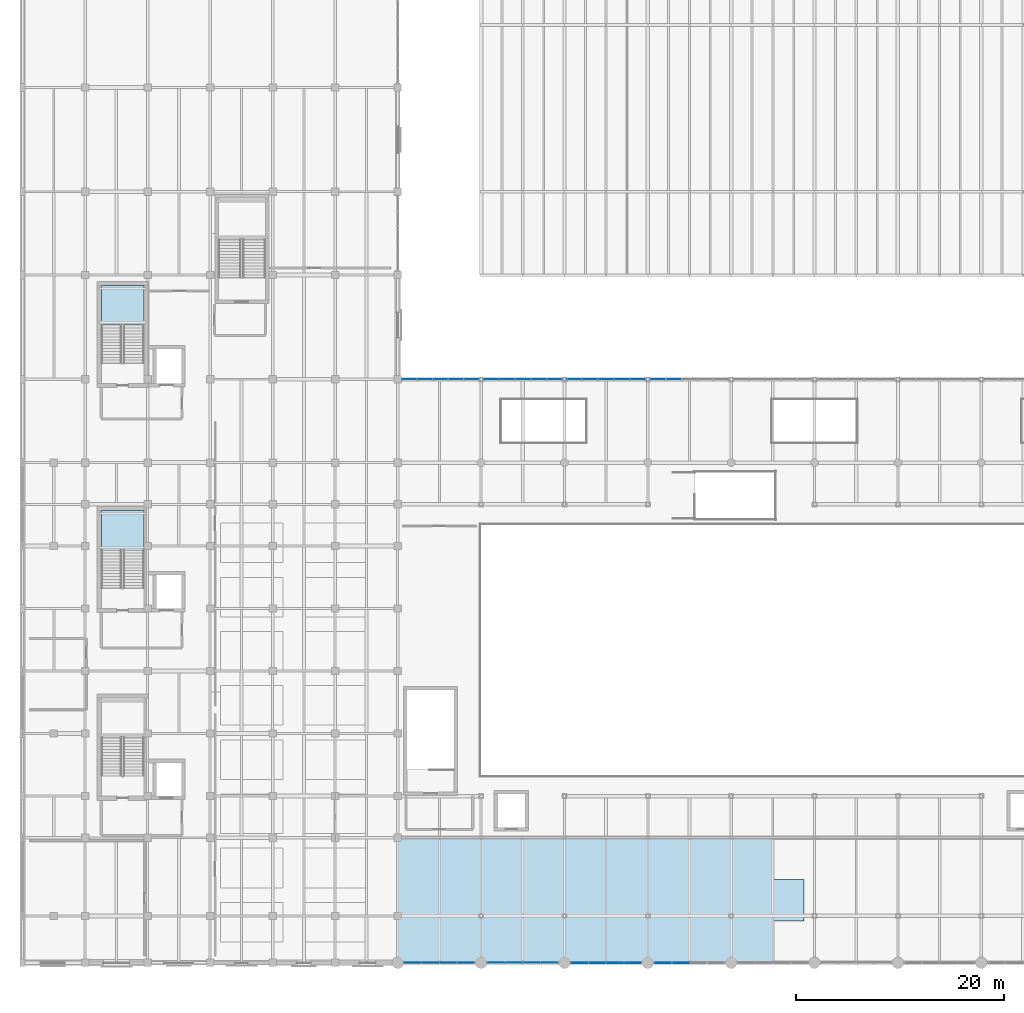
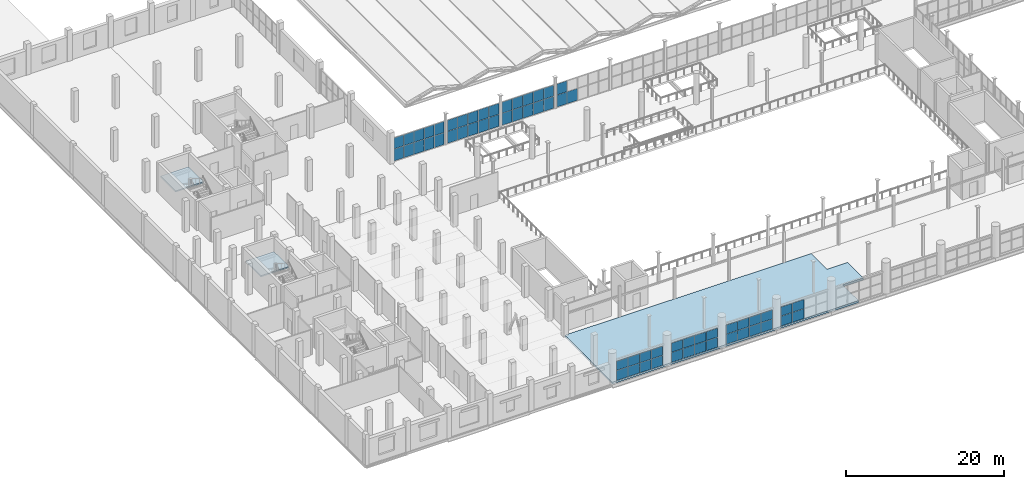
# One storey, part 82 of 114: 61 plates, 3 slabs, 10 elements without a shape of their own.
"""IFC4 building model written with IfcOpenShell, lengths in metres."""

from ifc_helpers import new_model, si_unit, direction, frame, origin, origin_2d, place, context, subcontext, project, spatial, polyline, rectangle, outline, extrude, material, layer, layer_set, type_object, element, aggregate, save


model = new_model("IFC4")

# Units and contexts
model_context = context("Model", 3, precision=1e-05, world=origin(), true_north=direction((0.0, 1.0)))
body_context = subcontext(model_context, "Body", "Model", "MODEL_VIEW")
ifc_project = project(units=[si_unit("LENGTHUNIT", "METRE"), si_unit("AREAUNIT", "SQUARE_METRE"), si_unit("VOLUMEUNIT", "CUBIC_METRE"), si_unit("PLANEANGLEUNIT", "RADIAN"), si_unit("MASSUNIT", "GRAM", prefix="KILO")], contexts=[model_context])

# Site, building, storey
site_placement = place(None, origin())
site = spatial("IfcSite", under=ifc_project, at=site_placement, CompositionType="ELEMENT")
building_placement = place(site_placement, origin())
building = spatial("IfcBuilding", under=site, at=building_placement, Name="Verrall Gate Interchange", CompositionType="ELEMENT")
storey_placement = place(building_placement, frame((0.0, 0.0, 6.60009765625)))
storey = spatial("IfcBuildingStorey", under=building, at=storey_placement, Name="L02", CompositionType="ELEMENT", Elevation=6.60009765625)

# Curtain wall, plates
ifc_material_1 = material(Name="Thermally Broken Anodized Aluminium Curtain Wall Framing", Category="aluminium")
curtain_wall_type_1 = type_object("IfcCurtainWallType", Name="CW-14 Unitized Curtain Wall 6836x3070", PredefinedType="NOTDEFINED", material=ifc_material_1)
curtain_wall_1_placement = place(storey_placement, origin())
curtain_wall_1 = element("IfcCurtainWall", 1, at=curtain_wall_1_placement, inside=storey, type_object=curtain_wall_type_1, Name="L02 Unitized Curtain Wall CW-L02-052", PredefinedType="NOTDEFINED")
ifc_material_2 = material(Name="Triple-Glazed Low-E Argon Insulated Curtain Panel (U=1.45)", Category="glass")
ifc_layer_1 = layer(ifc_material_2, 0.030029296875)
ifc_layer_set_1 = layer_set([ifc_layer_1], Name="Triple-Glazed Low-E Argon Insulated Curtain Panel (U=1.45)")
plate_type_1 = type_object("IfcPlateType", Name="CP-01 Curtain Glazing Panel 30", PredefinedType="CURTAIN_PANEL", material=ifc_layer_set_1)
plate_1_placement = place(storey_placement, frame((37.452880859375, 0.0, 0.0546875), z_axis=(0.0, 0.0, 1.0), x_axis=(1.0, 0.0, 0.0)))
plate_1 = element("IfcPlate", 2, at=plate_1_placement, type_object=plate_type_1, Name="CW-L02-052 Glazing Panel 1.1", PredefinedType="CURTAIN_PANEL", context=body_context, shape_type="SweptSolid", body=[
    extrude(rectangle(XDim=1.63232421875, YDim=0.030029296875, at=origin_2d()), origin(), (0.0, 0.0, 1.0), 1.519775390625),
])
plate_2_placement = place(storey_placement, frame((37.452880859375, 0.0, 1.618408203125), z_axis=(0.0, 0.0, 1.0), x_axis=(1.0, 0.0, 0.0)))
plate_2 = element("IfcPlate", 3, at=plate_2_placement, type_object=plate_type_1, Name="CW-L02-052 Glazing Panel 1.2", PredefinedType="CURTAIN_PANEL", context=body_context, shape_type="SweptSolid", body=[
    extrude(rectangle(XDim=1.63232421875, YDim=0.030029296875, at=origin_2d()), origin(), (0.0, 0.0, 1.0), 1.39697265625),
])
plate_3_placement = place(storey_placement, frame((39.1455078125, 0.0, 0.0546875), z_axis=(0.0, 0.0, 1.0), x_axis=(1.0, 0.0, 0.0)))
plate_3 = element("IfcPlate", 4, at=plate_3_placement, type_object=plate_type_1, Name="CW-L02-052 Glazing Panel 2.1", PredefinedType="CURTAIN_PANEL", context=body_context, shape_type="SweptSolid", body=[
    extrude(rectangle(XDim=1.664794921875, YDim=0.030029296875, at=origin_2d()), origin(), (0.0, 0.0, 1.0), 1.519775390625),
])
plate_4_placement = place(storey_placement, frame((39.1455078125, 0.0, 1.618408203125), z_axis=(0.0, 0.0, 1.0), x_axis=(1.0, 0.0, 0.0)))
plate_4 = element("IfcPlate", 5, at=plate_4_placement, type_object=plate_type_1, Name="CW-L02-052 Glazing Panel 2.2", PredefinedType="CURTAIN_PANEL", context=body_context, shape_type="SweptSolid", body=[
    extrude(rectangle(XDim=1.664794921875, YDim=0.030029296875, at=origin_2d()), origin(), (0.0, 0.0, 1.0), 1.39697265625),
])
plate_5_placement = place(storey_placement, frame((40.8544921875, 0.0, 0.0546875), z_axis=(0.0, 0.0, 1.0), x_axis=(1.0, 0.0, 0.0)))
plate_5 = element("IfcPlate", 6, at=plate_5_placement, type_object=plate_type_1, Name="CW-L02-052 Glazing Panel 3.1", PredefinedType="CURTAIN_PANEL", context=body_context, shape_type="SweptSolid", body=[
    extrude(rectangle(XDim=1.664794921875, YDim=0.030029296875, at=origin_2d()), origin(), (0.0, 0.0, 1.0), 1.519775390625),
])
plate_6_placement = place(storey_placement, frame((40.8544921875, 0.0, 1.618408203125), z_axis=(0.0, 0.0, 1.0), x_axis=(1.0, 0.0, 0.0)))
plate_6 = element("IfcPlate", 7, at=plate_6_placement, type_object=plate_type_1, Name="CW-L02-052 Glazing Panel 3.2", PredefinedType="CURTAIN_PANEL", context=body_context, shape_type="SweptSolid", body=[
    extrude(rectangle(XDim=1.664794921875, YDim=0.030029296875, at=origin_2d()), origin(), (0.0, 0.0, 1.0), 1.39697265625),
])
plate_7_placement = place(storey_placement, frame((42.547119140625, 0.0, 0.0546875), z_axis=(0.0, 0.0, 1.0), x_axis=(1.0, 0.0, 0.0)))
plate_7 = element("IfcPlate", 8, at=plate_7_placement, type_object=plate_type_1, Name="CW-L02-052 Glazing Panel 4.1", PredefinedType="CURTAIN_PANEL", context=body_context, shape_type="SweptSolid", body=[
    extrude(rectangle(XDim=1.63232421875, YDim=0.030029296875, at=origin_2d()), origin(), (0.0, 0.0, 1.0), 1.519775390625),
])
plate_8_placement = place(storey_placement, frame((42.547119140625, 0.0, 1.618408203125), z_axis=(0.0, 0.0, 1.0), x_axis=(1.0, 0.0, 0.0)))
plate_8 = element("IfcPlate", 9, at=plate_8_placement, type_object=plate_type_1, Name="CW-L02-052 Glazing Panel 4.2", PredefinedType="CURTAIN_PANEL", context=body_context, shape_type="SweptSolid", body=[
    extrude(rectangle(XDim=1.63232421875, YDim=0.030029296875, at=origin_2d()), origin(), (0.0, 0.0, 1.0), 1.39697265625),
])
aggregate(curtain_wall_1, [plate_1, plate_2, plate_3, plate_4, plate_5, plate_6, plate_7, plate_8])

curtain_wall_2_placement = place(storey_placement, origin())
curtain_wall_2 = element("IfcCurtainWall", 10, at=curtain_wall_2_placement, inside=storey, type_object=curtain_wall_type_1, Name="L02 Unitized Curtain Wall CW-L02-053", PredefinedType="NOTDEFINED")
plate_9_placement = place(storey_placement, frame((45.455078125, 0.0, 0.06298828125), z_axis=(0.0, 0.0, 1.0), x_axis=(1.0, 0.0, 0.0)))
plate_9 = element("IfcPlate", 11, at=plate_9_placement, type_object=plate_type_1, Name="CW-L02-053 Glazing Panel 1.1", PredefinedType="CURTAIN_PANEL", context=body_context, shape_type="SweptSolid", body=[
    extrude(rectangle(XDim=1.62060546875, YDim=0.030029296875, at=origin_2d()), origin(), (0.0, 0.0, 1.0), 1.5078125),
])
plate_10_placement = place(storey_placement, frame((45.455078125, 0.0, 1.6220703125), z_axis=(0.0, 0.0, 1.0), x_axis=(1.0, 0.0, 0.0)))
plate_10 = element("IfcPlate", 12, at=plate_10_placement, type_object=plate_type_1, Name="CW-L02-053 Glazing Panel 1.2", PredefinedType="CURTAIN_PANEL", context=body_context, shape_type="SweptSolid", body=[
    extrude(rectangle(XDim=1.62060546875, YDim=0.030029296875, at=origin_2d()), origin(), (0.0, 0.0, 1.0), 1.385009765625),
])
plate_11_placement = place(storey_placement, frame((47.1455078125, 0.0, 0.06298828125), z_axis=(0.0, 0.0, 1.0), x_axis=(1.0, 0.0, 0.0)))
plate_11 = element("IfcPlate", 13, at=plate_11_placement, type_object=plate_type_1, Name="CW-L02-053 Glazing Panel 2.1", PredefinedType="CURTAIN_PANEL", context=body_context, shape_type="SweptSolid", body=[
    extrude(rectangle(XDim=1.657958984375, YDim=0.030029296875, at=origin_2d()), origin(), (0.0, 0.0, 1.0), 1.5078125),
])
plate_12_placement = place(storey_placement, frame((47.1455078125, 0.0, 1.6220703125), z_axis=(0.0, 0.0, 1.0), x_axis=(1.0, 0.0, 0.0)))
plate_12 = element("IfcPlate", 14, at=plate_12_placement, type_object=plate_type_1, Name="CW-L02-053 Glazing Panel 2.2", PredefinedType="CURTAIN_PANEL", context=body_context, shape_type="SweptSolid", body=[
    extrude(rectangle(XDim=1.657958984375, YDim=0.030029296875, at=origin_2d()), origin(), (0.0, 0.0, 1.0), 1.385009765625),
])
plate_13_placement = place(storey_placement, frame((48.8544921875, 0.0, 0.06298828125), z_axis=(0.0, 0.0, 1.0), x_axis=(1.0, 0.0, 0.0)))
plate_13 = element("IfcPlate", 15, at=plate_13_placement, type_object=plate_type_1, Name="CW-L02-053 Glazing Panel 3.1", PredefinedType="CURTAIN_PANEL", context=body_context, shape_type="SweptSolid", body=[
    extrude(rectangle(XDim=1.657958984375, YDim=0.030029296875, at=origin_2d()), origin(), (0.0, 0.0, 1.0), 1.5078125),
])
plate_14_placement = place(storey_placement, frame((48.8544921875, 0.0, 1.6220703125), z_axis=(0.0, 0.0, 1.0), x_axis=(1.0, 0.0, 0.0)))
plate_14 = element("IfcPlate", 16, at=plate_14_placement, type_object=plate_type_1, Name="CW-L02-053 Glazing Panel 3.2", PredefinedType="CURTAIN_PANEL", context=body_context, shape_type="SweptSolid", body=[
    extrude(rectangle(XDim=1.657958984375, YDim=0.030029296875, at=origin_2d()), origin(), (0.0, 0.0, 1.0), 1.385009765625),
])
plate_15_placement = place(storey_placement, frame((50.544921875, 0.0, 0.06298828125), z_axis=(0.0, 0.0, 1.0), x_axis=(1.0, 0.0, 0.0)))
plate_15 = element("IfcPlate", 17, at=plate_15_placement, type_object=plate_type_1, Name="CW-L02-053 Glazing Panel 4.1", PredefinedType="CURTAIN_PANEL", context=body_context, shape_type="SweptSolid", body=[
    extrude(rectangle(XDim=1.62060546875, YDim=0.030029296875, at=origin_2d()), origin(), (0.0, 0.0, 1.0), 1.5078125),
])
plate_16_placement = place(storey_placement, frame((50.544921875, 0.0, 1.6220703125), z_axis=(0.0, 0.0, 1.0), x_axis=(1.0, 0.0, 0.0)))
plate_16 = element("IfcPlate", 18, at=plate_16_placement, type_object=plate_type_1, Name="CW-L02-053 Glazing Panel 4.2", PredefinedType="CURTAIN_PANEL", context=body_context, shape_type="SweptSolid", body=[
    extrude(rectangle(XDim=1.62060546875, YDim=0.030029296875, at=origin_2d()), origin(), (0.0, 0.0, 1.0), 1.385009765625),
])
aggregate(curtain_wall_2, [plate_9, plate_10, plate_11, plate_12, plate_13, plate_14, plate_15, plate_16])

ifc_material_3 = material(Name="Thermally Broken Anodized Aluminium Curtain Wall Framing", Category="aluminium")
curtain_wall_type_2 = type_object("IfcCurtainWallType", Name="CW-21 Unitized Curtain Wall 7631x3680", PredefinedType="NOTDEFINED", material=ifc_material_3)
curtain_wall_3_placement = place(storey_placement, origin())
curtain_wall_3 = element("IfcCurtainWall", 19, at=curtain_wall_3_placement, inside=storey, type_object=curtain_wall_type_2, Name="L02 Unitized Curtain Wall CW-L02-081", PredefinedType="NOTDEFINED")
plate_17_placement = place(storey_placement, frame((62.473876953125, 56.0, 0.062744140625), z_axis=(0.0, 0.0, 1.0), x_axis=(-1.0, 0.0, 0.0)))
plate_17 = element("IfcPlate", 20, at=plate_17_placement, type_object=plate_type_1, Name="CW-L02-081 Glazing Panel 4.1", PredefinedType="CURTAIN_PANEL", context=body_context, shape_type="SweptSolid", body=[
    extrude(rectangle(XDim=1.47509765625, YDim=0.030029296875, at=origin_2d()), origin(), (0.0, 0.0, 1.0), 1.8251953125),
])
plate_18_placement = place(storey_placement, frame((60.96630859375, 56.0, 0.062744140625), z_axis=(0.0, 0.0, 1.0), x_axis=(-1.0, 0.0, 0.0)))
plate_18 = element("IfcPlate", 21, at=plate_18_placement, type_object=plate_type_1, Name="CW-L02-081 Glazing Panel 5.1", PredefinedType="CURTAIN_PANEL", context=body_context, shape_type="SweptSolid", body=[
    extrude(rectangle(XDim=1.437744140625, YDim=0.030029296875, at=origin_2d()), origin(), (0.0, 0.0, 1.0), 1.8251953125),
])
plate_19_placement = place(storey_placement, frame((60.96630859375, 56.0, 1.93896484375), z_axis=(0.0, 0.0, 1.0), x_axis=(-1.0, 0.0, 0.0)))
plate_19 = element("IfcPlate", 22, at=plate_19_placement, type_object=plate_type_1, Name="CW-L02-081 Glazing Panel 5.2", PredefinedType="CURTAIN_PANEL", context=body_context, shape_type="SweptSolid", body=[
    extrude(rectangle(XDim=1.437744140625, YDim=0.030029296875, at=origin_2d()), origin(), (0.0, 0.0, 1.0), 1.677978515625),
])
aggregate(curtain_wall_3, [plate_17, plate_18, plate_19])

ifc_material_4 = material(Name="Thermally Broken Anodized Aluminium Curtain Wall Framing", Category="aluminium")
curtain_wall_type_3 = type_object("IfcCurtainWallType", Name="CW-22 Unitized Curtain Wall 7434x3680", PredefinedType="NOTDEFINED", material=ifc_material_4)
curtain_wall_4_placement = place(storey_placement, origin())
curtain_wall_4 = element("IfcCurtainWall", 23, at=curtain_wall_4_placement, inside=storey, type_object=curtain_wall_type_3, Name="L02 Unitized Curtain Wall CW-L02-084", PredefinedType="NOTDEFINED")
plate_20_placement = place(storey_placement, frame((43.055908203125, 56.0, 0.054443359375), z_axis=(0.0, 0.0, 1.0), x_axis=(-1.0, 0.0, 0.0)))
plate_20 = element("IfcPlate", 24, at=plate_20_placement, type_object=plate_type_1, Name="CW-L02-084 Glazing Panel 1.1", PredefinedType="CURTAIN_PANEL", context=body_context, shape_type="SweptSolid", body=[
    extrude(rectangle(XDim=1.409912109375, YDim=0.030029296875, at=origin_2d()), origin(), (0.0, 0.0, 1.0), 1.8369140625),
])
plate_21_placement = place(storey_placement, frame((43.055908203125, 56.0, 1.935546875), z_axis=(0.0, 0.0, 1.0), x_axis=(-1.0, 0.0, 0.0)))
plate_21 = element("IfcPlate", 25, at=plate_21_placement, type_object=plate_type_1, Name="CW-L02-084 Glazing Panel 1.2", PredefinedType="CURTAIN_PANEL", context=body_context, shape_type="SweptSolid", body=[
    extrude(rectangle(XDim=1.409912109375, YDim=0.030029296875, at=origin_2d()), origin(), (0.0, 0.0, 1.0), 1.689697265625),
])
plate_22_placement = place(storey_placement, frame((41.58544921875, 56.0, 0.054443359375), z_axis=(0.0, 0.0, 1.0), x_axis=(-1.0, 0.0, 0.0)))
plate_22 = element("IfcPlate", 26, at=plate_22_placement, type_object=plate_type_1, Name="CW-L02-084 Glazing Panel 2.1", PredefinedType="CURTAIN_PANEL", context=body_context, shape_type="SweptSolid", body=[
    extrude(rectangle(XDim=1.4423828125, YDim=0.030029296875, at=origin_2d()), origin(), (0.0, 0.0, 1.0), 1.8369140625),
])
plate_23_placement = place(storey_placement, frame((41.58544921875, 56.0, 1.935546875), z_axis=(0.0, 0.0, 1.0), x_axis=(-1.0, 0.0, 0.0)))
plate_23 = element("IfcPlate", 27, at=plate_23_placement, type_object=plate_type_1, Name="CW-L02-084 Glazing Panel 2.2", PredefinedType="CURTAIN_PANEL", context=body_context, shape_type="SweptSolid", body=[
    extrude(rectangle(XDim=1.4423828125, YDim=0.030029296875, at=origin_2d()), origin(), (0.0, 0.0, 1.0), 1.689697265625),
])
plate_24_placement = place(storey_placement, frame((40.098876953125, 56.0, 0.054443359375), z_axis=(0.0, 0.0, 1.0), x_axis=(-1.0, 0.0, 0.0)))
plate_24 = element("IfcPlate", 28, at=plate_24_placement, type_object=plate_type_1, Name="CW-L02-084 Glazing Panel 3.1", PredefinedType="CURTAIN_PANEL", context=body_context, shape_type="SweptSolid", body=[
    extrude(rectangle(XDim=1.4423828125, YDim=0.030029296875, at=origin_2d()), origin(), (0.0, 0.0, 1.0), 1.8369140625),
])
plate_25_placement = place(storey_placement, frame((40.098876953125, 56.0, 1.935546875), z_axis=(0.0, 0.0, 1.0), x_axis=(-1.0, 0.0, 0.0)))
plate_25 = element("IfcPlate", 29, at=plate_25_placement, type_object=plate_type_1, Name="CW-L02-084 Glazing Panel 3.2", PredefinedType="CURTAIN_PANEL", context=body_context, shape_type="SweptSolid", body=[
    extrude(rectangle(XDim=1.4423828125, YDim=0.030029296875, at=origin_2d()), origin(), (0.0, 0.0, 1.0), 1.689697265625),
])
plate_26_placement = place(storey_placement, frame((38.612060546875, 56.0, 0.054443359375), z_axis=(0.0, 0.0, 1.0), x_axis=(-1.0, 0.0, 0.0)))
plate_26 = element("IfcPlate", 30, at=plate_26_placement, type_object=plate_type_1, Name="CW-L02-084 Glazing Panel 4.1", PredefinedType="CURTAIN_PANEL", context=body_context, shape_type="SweptSolid", body=[
    extrude(rectangle(XDim=1.4423828125, YDim=0.030029296875, at=origin_2d()), origin(), (0.0, 0.0, 1.0), 1.8369140625),
])
plate_27_placement = place(storey_placement, frame((38.612060546875, 56.0, 1.935546875), z_axis=(0.0, 0.0, 1.0), x_axis=(-1.0, 0.0, 0.0)))
plate_27 = element("IfcPlate", 31, at=plate_27_placement, type_object=plate_type_1, Name="CW-L02-084 Glazing Panel 4.2", PredefinedType="CURTAIN_PANEL", context=body_context, shape_type="SweptSolid", body=[
    extrude(rectangle(XDim=1.4423828125, YDim=0.030029296875, at=origin_2d()), origin(), (0.0, 0.0, 1.0), 1.689697265625),
])
plate_28_placement = place(storey_placement, frame((37.1416015625, 56.0, 0.054443359375), z_axis=(0.0, 0.0, 1.0), x_axis=(-1.0, 0.0, 0.0)))
plate_28 = element("IfcPlate", 32, at=plate_28_placement, type_object=plate_type_1, Name="CW-L02-084 Glazing Panel 5.1", PredefinedType="CURTAIN_PANEL", context=body_context, shape_type="SweptSolid", body=[
    extrude(rectangle(XDim=1.409912109375, YDim=0.030029296875, at=origin_2d()), origin(), (0.0, 0.0, 1.0), 1.8369140625),
])
plate_29_placement = place(storey_placement, frame((37.1416015625, 56.0, 1.935546875), z_axis=(0.0, 0.0, 1.0), x_axis=(-1.0, 0.0, 0.0)))
plate_29 = element("IfcPlate", 33, at=plate_29_placement, type_object=plate_type_1, Name="CW-L02-084 Glazing Panel 5.2", PredefinedType="CURTAIN_PANEL", context=body_context, shape_type="SweptSolid", body=[
    extrude(rectangle(XDim=1.409912109375, YDim=0.030029296875, at=origin_2d()), origin(), (0.0, 0.0, 1.0), 1.689697265625),
])
aggregate(curtain_wall_4, [plate_20, plate_21, plate_22, plate_23, plate_24, plate_25, plate_26, plate_27, plate_28, plate_29])

curtain_wall_5_placement = place(storey_placement, origin())
curtain_wall_5 = element("IfcCurtainWall", 34, at=curtain_wall_5_placement, inside=storey, type_object=curtain_wall_type_1, Name="L02 Unitized Curtain Wall CW-L02-054", PredefinedType="NOTDEFINED")
ifc_material_5 = material(Name="Triple-Glazed Low-E Argon Insulated Curtain Panel (U=1.45)", Category="glass")
ifc_layer_2 = layer(ifc_material_5, 0.0400390625)
ifc_layer_set_2 = layer_set([ifc_layer_2], Name="Triple-Glazed Low-E Argon Insulated Curtain Panel (U=1.45)")
plate_type_2 = type_object("IfcPlateType", Name="CP-02 Curtain Glazing Panel 40", PredefinedType="CURTAIN_PANEL", material=ifc_layer_set_2)
plate_30_placement = place(storey_placement, frame((53.452880859375, 0.0, 0.0546875), z_axis=(0.0, 0.0, 1.0), x_axis=(1.0, 0.0, 0.0)))
plate_30 = element("IfcPlate", 35, at=plate_30_placement, type_object=plate_type_2, Name="CW-L02-054 Glazing Panel 1.1", PredefinedType="CURTAIN_PANEL", context=body_context, shape_type="SweptSolid", body=[
    extrude(rectangle(XDim=1.63232421875, YDim=0.0400390625, at=origin_2d()), origin(), (0.0, 0.0, 1.0), 1.519775390625),
])
plate_31_placement = place(storey_placement, frame((53.452880859375, 0.0, 1.618408203125), z_axis=(0.0, 0.0, 1.0), x_axis=(1.0, 0.0, 0.0)))
plate_31 = element("IfcPlate", 36, at=plate_31_placement, type_object=plate_type_2, Name="CW-L02-054 Glazing Panel 1.2", PredefinedType="CURTAIN_PANEL", context=body_context, shape_type="SweptSolid", body=[
    extrude(rectangle(XDim=1.63232421875, YDim=0.0400390625, at=origin_2d()), origin(), (0.0, 0.0, 1.0), 1.39697265625),
])
plate_32_placement = place(storey_placement, frame((55.1455078125, 0.0, 0.0546875), z_axis=(0.0, 0.0, 1.0), x_axis=(1.0, 0.0, 0.0)))
plate_32 = element("IfcPlate", 37, at=plate_32_placement, type_object=plate_type_2, Name="CW-L02-054 Glazing Panel 2.1", PredefinedType="CURTAIN_PANEL", context=body_context, shape_type="SweptSolid", body=[
    extrude(rectangle(XDim=1.664794921875, YDim=0.0400390625, at=origin_2d()), origin(), (0.0, 0.0, 1.0), 1.519775390625),
])
plate_33_placement = place(storey_placement, frame((55.1455078125, 0.0, 1.618408203125), z_axis=(0.0, 0.0, 1.0), x_axis=(1.0, 0.0, 0.0)))
plate_33 = element("IfcPlate", 38, at=plate_33_placement, type_object=plate_type_2, Name="CW-L02-054 Glazing Panel 2.2", PredefinedType="CURTAIN_PANEL", context=body_context, shape_type="SweptSolid", body=[
    extrude(rectangle(XDim=1.664794921875, YDim=0.0400390625, at=origin_2d()), origin(), (0.0, 0.0, 1.0), 1.39697265625),
])
plate_34_placement = place(storey_placement, frame((56.8544921875, 0.0, 0.0546875), z_axis=(0.0, 0.0, 1.0), x_axis=(1.0, 0.0, 0.0)))
plate_34 = element("IfcPlate", 39, at=plate_34_placement, type_object=plate_type_2, Name="CW-L02-054 Glazing Panel 3.1", PredefinedType="CURTAIN_PANEL", context=body_context, shape_type="SweptSolid", body=[
    extrude(rectangle(XDim=1.664794921875, YDim=0.0400390625, at=origin_2d()), origin(), (0.0, 0.0, 1.0), 1.519775390625),
])
plate_35_placement = place(storey_placement, frame((56.8544921875, 0.0, 1.618408203125), z_axis=(0.0, 0.0, 1.0), x_axis=(1.0, 0.0, 0.0)))
plate_35 = element("IfcPlate", 40, at=plate_35_placement, type_object=plate_type_2, Name="CW-L02-054 Glazing Panel 3.2", PredefinedType="CURTAIN_PANEL", context=body_context, shape_type="SweptSolid", body=[
    extrude(rectangle(XDim=1.664794921875, YDim=0.0400390625, at=origin_2d()), origin(), (0.0, 0.0, 1.0), 1.39697265625),
])
plate_36_placement = place(storey_placement, frame((58.547119140625, 0.0, 0.0546875), z_axis=(0.0, 0.0, 1.0), x_axis=(1.0, 0.0, 0.0)))
plate_36 = element("IfcPlate", 41, at=plate_36_placement, type_object=plate_type_2, Name="CW-L02-054 Glazing Panel 4.1", PredefinedType="CURTAIN_PANEL", context=body_context, shape_type="SweptSolid", body=[
    extrude(rectangle(XDim=1.63232421875, YDim=0.0400390625, at=origin_2d()), origin(), (0.0, 0.0, 1.0), 1.519775390625),
])
plate_37_placement = place(storey_placement, frame((58.547119140625, 0.0, 1.618408203125), z_axis=(0.0, 0.0, 1.0), x_axis=(1.0, 0.0, 0.0)))
plate_37 = element("IfcPlate", 42, at=plate_37_placement, type_object=plate_type_2, Name="CW-L02-054 Glazing Panel 4.2", PredefinedType="CURTAIN_PANEL", context=body_context, shape_type="SweptSolid", body=[
    extrude(rectangle(XDim=1.63232421875, YDim=0.0400390625, at=origin_2d()), origin(), (0.0, 0.0, 1.0), 1.39697265625),
])
aggregate(curtain_wall_5, [plate_30, plate_31, plate_32, plate_33, plate_34, plate_35, plate_36, plate_37])

curtain_wall_6_placement = place(storey_placement, origin())
curtain_wall_6 = element("IfcCurtainWall", 43, at=curtain_wall_6_placement, inside=storey, type_object=curtain_wall_type_1, Name="L02 Unitized Curtain Wall CW-L02-055", PredefinedType="NOTDEFINED")
plate_38_placement = place(storey_placement, frame((61.455078125, 0.0, 0.06298828125), z_axis=(0.0, 0.0, 1.0), x_axis=(1.0, 0.0, 0.0)))
plate_38 = element("IfcPlate", 44, at=plate_38_placement, type_object=plate_type_2, Name="CW-L02-055 Glazing Panel 1.1", PredefinedType="CURTAIN_PANEL", context=body_context, shape_type="SweptSolid", body=[
    extrude(rectangle(XDim=1.62060546875, YDim=0.0400390625, at=origin_2d()), origin(), (0.0, 0.0, 1.0), 1.5078125),
])
plate_39_placement = place(storey_placement, frame((61.455078125, 0.0, 1.6220703125), z_axis=(0.0, 0.0, 1.0), x_axis=(1.0, 0.0, 0.0)))
plate_39 = element("IfcPlate", 45, at=plate_39_placement, type_object=plate_type_2, Name="CW-L02-055 Glazing Panel 1.2", PredefinedType="CURTAIN_PANEL", context=body_context, shape_type="SweptSolid", body=[
    extrude(rectangle(XDim=1.62060546875, YDim=0.0400390625, at=origin_2d()), origin(), (0.0, 0.0, 1.0), 1.385009765625),
])
plate_40_placement = place(storey_placement, frame((63.1455078125, 0.0, 0.06298828125), z_axis=(0.0, 0.0, 1.0), x_axis=(1.0, 0.0, 0.0)))
plate_40 = element("IfcPlate", 46, at=plate_40_placement, type_object=plate_type_2, Name="CW-L02-055 Glazing Panel 2.1", PredefinedType="CURTAIN_PANEL", context=body_context, shape_type="SweptSolid", body=[
    extrude(rectangle(XDim=1.657958984375, YDim=0.0400390625, at=origin_2d()), origin(), (0.0, 0.0, 1.0), 1.5078125),
])
plate_41_placement = place(storey_placement, frame((63.1455078125, 0.0, 1.6220703125), z_axis=(0.0, 0.0, 1.0), x_axis=(1.0, 0.0, 0.0)))
plate_41 = element("IfcPlate", 47, at=plate_41_placement, type_object=plate_type_2, Name="CW-L02-055 Glazing Panel 2.2", PredefinedType="CURTAIN_PANEL", context=body_context, shape_type="SweptSolid", body=[
    extrude(rectangle(XDim=1.657958984375, YDim=0.0400390625, at=origin_2d()), origin(), (0.0, 0.0, 1.0), 1.385009765625),
])
aggregate(curtain_wall_6, [plate_38, plate_39, plate_40, plate_41])

curtain_wall_7_placement = place(storey_placement, origin())
curtain_wall_7 = element("IfcCurtainWall", 48, at=curtain_wall_7_placement, inside=storey, type_object=curtain_wall_type_2, Name="L02 Unitized Curtain Wall CW-L02-082", PredefinedType="NOTDEFINED")
plate_42_placement = place(storey_placement, frame((59.0361328125, 56.0, 0.054443359375), z_axis=(0.0, 0.0, 1.0), x_axis=(-1.0, 0.0, 0.0)))
plate_42 = element("IfcPlate", 49, at=plate_42_placement, type_object=plate_type_2, Name="CW-L02-082 Glazing Panel 1.1", PredefinedType="CURTAIN_PANEL", context=body_context, shape_type="SweptSolid", body=[
    extrude(rectangle(XDim=1.449462890625, YDim=0.0400390625, at=origin_2d()), origin(), (0.0, 0.0, 1.0), 1.8369140625),
])
plate_43_placement = place(storey_placement, frame((59.0361328125, 56.0, 1.935546875), z_axis=(0.0, 0.0, 1.0), x_axis=(-1.0, 0.0, 0.0)))
plate_43 = element("IfcPlate", 50, at=plate_43_placement, type_object=plate_type_2, Name="CW-L02-082 Glazing Panel 1.2", PredefinedType="CURTAIN_PANEL", context=body_context, shape_type="SweptSolid", body=[
    extrude(rectangle(XDim=1.449462890625, YDim=0.0400390625, at=origin_2d()), origin(), (0.0, 0.0, 1.0), 1.689697265625),
])
plate_44_placement = place(storey_placement, frame((57.526123046875, 56.0, 0.054443359375), z_axis=(0.0, 0.0, 1.0), x_axis=(-1.0, 0.0, 0.0)))
plate_44 = element("IfcPlate", 51, at=plate_44_placement, type_object=plate_type_2, Name="CW-L02-082 Glazing Panel 2.1", PredefinedType="CURTAIN_PANEL", context=body_context, shape_type="SweptSolid", body=[
    extrude(rectangle(XDim=1.48193359375, YDim=0.0400390625, at=origin_2d()), origin(), (0.0, 0.0, 1.0), 1.8369140625),
])
plate_45_placement = place(storey_placement, frame((57.526123046875, 56.0, 1.935546875), z_axis=(0.0, 0.0, 1.0), x_axis=(-1.0, 0.0, 0.0)))
plate_45 = element("IfcPlate", 52, at=plate_45_placement, type_object=plate_type_2, Name="CW-L02-082 Glazing Panel 2.2", PredefinedType="CURTAIN_PANEL", context=body_context, shape_type="SweptSolid", body=[
    extrude(rectangle(XDim=1.48193359375, YDim=0.0400390625, at=origin_2d()), origin(), (0.0, 0.0, 1.0), 1.689697265625),
])
plate_46_placement = place(storey_placement, frame((56.0, 56.0, 0.054443359375), z_axis=(0.0, 0.0, 1.0), x_axis=(-1.0, 0.0, 0.0)))
plate_46 = element("IfcPlate", 53, at=plate_46_placement, type_object=plate_type_2, Name="CW-L02-082 Glazing Panel 3.1", PredefinedType="CURTAIN_PANEL", context=body_context, shape_type="SweptSolid", body=[
    extrude(rectangle(XDim=1.48193359375, YDim=0.0400390625, at=origin_2d()), origin(), (0.0, 0.0, 1.0), 1.8369140625),
])
plate_47_placement = place(storey_placement, frame((56.0, 56.0, 1.935546875), z_axis=(0.0, 0.0, 1.0), x_axis=(-1.0, 0.0, 0.0)))
plate_47 = element("IfcPlate", 54, at=plate_47_placement, type_object=plate_type_2, Name="CW-L02-082 Glazing Panel 3.2", PredefinedType="CURTAIN_PANEL", context=body_context, shape_type="SweptSolid", body=[
    extrude(rectangle(XDim=1.48193359375, YDim=0.0400390625, at=origin_2d()), origin(), (0.0, 0.0, 1.0), 1.689697265625),
])
plate_48_placement = place(storey_placement, frame((54.473876953125, 56.0, 0.054443359375), z_axis=(0.0, 0.0, 1.0), x_axis=(-1.0, 0.0, 0.0)))
plate_48 = element("IfcPlate", 55, at=plate_48_placement, type_object=plate_type_2, Name="CW-L02-082 Glazing Panel 4.1", PredefinedType="CURTAIN_PANEL", context=body_context, shape_type="SweptSolid", body=[
    extrude(rectangle(XDim=1.48193359375, YDim=0.0400390625, at=origin_2d()), origin(), (0.0, 0.0, 1.0), 1.8369140625),
])
plate_49_placement = place(storey_placement, frame((54.473876953125, 56.0, 1.935546875), z_axis=(0.0, 0.0, 1.0), x_axis=(-1.0, 0.0, 0.0)))
plate_49 = element("IfcPlate", 56, at=plate_49_placement, type_object=plate_type_2, Name="CW-L02-082 Glazing Panel 4.2", PredefinedType="CURTAIN_PANEL", context=body_context, shape_type="SweptSolid", body=[
    extrude(rectangle(XDim=1.48193359375, YDim=0.0400390625, at=origin_2d()), origin(), (0.0, 0.0, 1.0), 1.689697265625),
])
plate_50_placement = place(storey_placement, frame((52.9638671875, 56.0, 0.054443359375), z_axis=(0.0, 0.0, 1.0), x_axis=(-1.0, 0.0, 0.0)))
plate_50 = element("IfcPlate", 57, at=plate_50_placement, type_object=plate_type_2, Name="CW-L02-082 Glazing Panel 5.1", PredefinedType="CURTAIN_PANEL", context=body_context, shape_type="SweptSolid", body=[
    extrude(rectangle(XDim=1.449462890625, YDim=0.0400390625, at=origin_2d()), origin(), (0.0, 0.0, 1.0), 1.8369140625),
])
plate_51_placement = place(storey_placement, frame((52.9638671875, 56.0, 1.935546875), z_axis=(0.0, 0.0, 1.0), x_axis=(-1.0, 0.0, 0.0)))
plate_51 = element("IfcPlate", 58, at=plate_51_placement, type_object=plate_type_2, Name="CW-L02-082 Glazing Panel 5.2", PredefinedType="CURTAIN_PANEL", context=body_context, shape_type="SweptSolid", body=[
    extrude(rectangle(XDim=1.449462890625, YDim=0.0400390625, at=origin_2d()), origin(), (0.0, 0.0, 1.0), 1.689697265625),
])
aggregate(curtain_wall_7, [plate_42, plate_43, plate_44, plate_45, plate_46, plate_47, plate_48, plate_49, plate_50, plate_51])

curtain_wall_8_placement = place(storey_placement, origin())
curtain_wall_8 = element("IfcCurtainWall", 59, at=curtain_wall_8_placement, inside=storey, type_object=curtain_wall_type_2, Name="L02 Unitized Curtain Wall CW-L02-083", PredefinedType="NOTDEFINED")
plate_52_placement = place(storey_placement, frame((51.03369140625, 56.0, 0.062744140625), z_axis=(0.0, 0.0, 1.0), x_axis=(-1.0, 0.0, 0.0)))
plate_52 = element("IfcPlate", 60, at=plate_52_placement, type_object=plate_type_2, Name="CW-L02-083 Glazing Panel 1.1", PredefinedType="CURTAIN_PANEL", context=body_context, shape_type="SweptSolid", body=[
    extrude(rectangle(XDim=1.437744140625, YDim=0.0400390625, at=origin_2d()), origin(), (0.0, 0.0, 1.0), 1.8251953125),
])
plate_53_placement = place(storey_placement, frame((51.03369140625, 56.0, 1.93896484375), z_axis=(0.0, 0.0, 1.0), x_axis=(-1.0, 0.0, 0.0)))
plate_53 = element("IfcPlate", 61, at=plate_53_placement, type_object=plate_type_2, Name="CW-L02-083 Glazing Panel 1.2", PredefinedType="CURTAIN_PANEL", context=body_context, shape_type="SweptSolid", body=[
    extrude(rectangle(XDim=1.437744140625, YDim=0.0400390625, at=origin_2d()), origin(), (0.0, 0.0, 1.0), 1.677978515625),
])
plate_54_placement = place(storey_placement, frame((49.526123046875, 56.0, 0.062744140625), z_axis=(0.0, 0.0, 1.0), x_axis=(-1.0, 0.0, 0.0)))
plate_54 = element("IfcPlate", 62, at=plate_54_placement, type_object=plate_type_2, Name="CW-L02-083 Glazing Panel 2.1", PredefinedType="CURTAIN_PANEL", context=body_context, shape_type="SweptSolid", body=[
    extrude(rectangle(XDim=1.47509765625, YDim=0.0400390625, at=origin_2d()), origin(), (0.0, 0.0, 1.0), 1.8251953125),
])
plate_55_placement = place(storey_placement, frame((49.526123046875, 56.0, 1.93896484375), z_axis=(0.0, 0.0, 1.0), x_axis=(-1.0, 0.0, 0.0)))
plate_55 = element("IfcPlate", 63, at=plate_55_placement, type_object=plate_type_2, Name="CW-L02-083 Glazing Panel 2.2", PredefinedType="CURTAIN_PANEL", context=body_context, shape_type="SweptSolid", body=[
    extrude(rectangle(XDim=1.47509765625, YDim=0.0400390625, at=origin_2d()), origin(), (0.0, 0.0, 1.0), 1.677978515625),
])
plate_56_placement = place(storey_placement, frame((48.0, 56.0, 0.062744140625), z_axis=(0.0, 0.0, 1.0), x_axis=(-1.0, 0.0, 0.0)))
plate_56 = element("IfcPlate", 64, at=plate_56_placement, type_object=plate_type_2, Name="CW-L02-083 Glazing Panel 3.1", PredefinedType="CURTAIN_PANEL", context=body_context, shape_type="SweptSolid", body=[
    extrude(rectangle(XDim=1.47509765625, YDim=0.0400390625, at=origin_2d()), origin(), (0.0, 0.0, 1.0), 1.8251953125),
])
plate_57_placement = place(storey_placement, frame((48.0, 56.0, 1.93896484375), z_axis=(0.0, 0.0, 1.0), x_axis=(-1.0, 0.0, 0.0)))
plate_57 = element("IfcPlate", 65, at=plate_57_placement, type_object=plate_type_2, Name="CW-L02-083 Glazing Panel 3.2", PredefinedType="CURTAIN_PANEL", context=body_context, shape_type="SweptSolid", body=[
    extrude(rectangle(XDim=1.47509765625, YDim=0.0400390625, at=origin_2d()), origin(), (0.0, 0.0, 1.0), 1.677978515625),
])
plate_58_placement = place(storey_placement, frame((46.473876953125, 56.0, 0.062744140625), z_axis=(0.0, 0.0, 1.0), x_axis=(-1.0, 0.0, 0.0)))
plate_58 = element("IfcPlate", 66, at=plate_58_placement, type_object=plate_type_2, Name="CW-L02-083 Glazing Panel 4.1", PredefinedType="CURTAIN_PANEL", context=body_context, shape_type="SweptSolid", body=[
    extrude(rectangle(XDim=1.47509765625, YDim=0.0400390625, at=origin_2d()), origin(), (0.0, 0.0, 1.0), 1.8251953125),
])
plate_59_placement = place(storey_placement, frame((46.473876953125, 56.0, 1.93896484375), z_axis=(0.0, 0.0, 1.0), x_axis=(-1.0, 0.0, 0.0)))
plate_59 = element("IfcPlate", 67, at=plate_59_placement, type_object=plate_type_2, Name="CW-L02-083 Glazing Panel 4.2", PredefinedType="CURTAIN_PANEL", context=body_context, shape_type="SweptSolid", body=[
    extrude(rectangle(XDim=1.47509765625, YDim=0.0400390625, at=origin_2d()), origin(), (0.0, 0.0, 1.0), 1.677978515625),
])
plate_60_placement = place(storey_placement, frame((44.96630859375, 56.0, 0.062744140625), z_axis=(0.0, 0.0, 1.0), x_axis=(-1.0, 0.0, 0.0)))
plate_60 = element("IfcPlate", 68, at=plate_60_placement, type_object=plate_type_2, Name="CW-L02-083 Glazing Panel 5.1", PredefinedType="CURTAIN_PANEL", context=body_context, shape_type="SweptSolid", body=[
    extrude(rectangle(XDim=1.437744140625, YDim=0.0400390625, at=origin_2d()), origin(), (0.0, 0.0, 1.0), 1.8251953125),
])
plate_61_placement = place(storey_placement, frame((44.96630859375, 56.0, 1.93896484375), z_axis=(0.0, 0.0, 1.0), x_axis=(-1.0, 0.0, 0.0)))
plate_61 = element("IfcPlate", 69, at=plate_61_placement, type_object=plate_type_2, Name="CW-L02-083 Glazing Panel 5.2", PredefinedType="CURTAIN_PANEL", context=body_context, shape_type="SweptSolid", body=[
    extrude(rectangle(XDim=1.437744140625, YDim=0.0400390625, at=origin_2d()), origin(), (0.0, 0.0, 1.0), 1.677978515625),
])
aggregate(curtain_wall_8, [plate_52, plate_53, plate_54, plate_55, plate_56, plate_57, plate_58, plate_59, plate_60, plate_61])

# Slab
ifc_material_6 = material(Name="Concrete CSA A23.1 40 MPa (Class N)", Category="concrete")
ifc_layer_3 = layer(ifc_material_6, 0.280029296875)
ifc_layer_set_3 = layer_set([ifc_layer_3], Name="Concrete CSA A23.1 40 MPa (Class N)")
slab_type_1 = type_object("IfcSlabType", Name="FS-08 Floor Slab 280", PredefinedType="FLOOR", material=ifc_layer_set_3)
slab_1_placement = place(storey_placement, frame((0.0, 0.0, -0.280029296875)))
element("IfcSlab", 70, at=slab_1_placement, inside=storey, type_object=slab_type_1, Name="L02 Structural Slab SLB-L02-05", PredefinedType="FLOOR", context=body_context, shape_type="SweptSolid", body=[
    extrude(outline(polyline([(36.0, 12.0), (72.0, 12.0), (72.0, 8.0), (75.0, 8.0), (75.0, 4.0), (72.0, 4.0), (72.0, 0.0), (36.0, 0.0), (36.0, 12.0)])), origin(), (0.0, 0.0, 1.0), 0.280029296875),
])

# Stair, slab
ifc_material_7 = material(Name="Concrete CSA A23.1 40 MPa (Class N)", Category="concrete")
stair_type = type_object("IfcStairType", Name="ST-T02 Straight-Flight Return Exit Stair W1950 H4800", PredefinedType="STRAIGHT_RUN_STAIR", material=ifc_material_7)
stair_1_placement = place(storey_placement, origin())
stair_1 = element("IfcStair", 71, at=stair_1_placement, inside=storey, type_object=stair_type, Name="L02 ST-02", PredefinedType="STRAIGHT_RUN_STAIR")
ifc_material_8 = material(Name="Concrete CSA A23.1 40 MPa (Class N)", Category="concrete")
ifc_layer_4 = layer(ifc_material_8, 0.18994140625)
ifc_layer_set_4 = layer_set([ifc_layer_4], Name="Concrete CSA A23.1 40 MPa (Class N)")
slab_type_2 = type_object("IfcSlabType", Name="LS-01 Stair Landing Slab 190", PredefinedType="LANDING", material=ifc_layer_set_4)
slab_2_placement = place(storey_placement, frame((0.0, 0.0, 2.199951171875)))
slab_2 = element("IfcSlab", 72, at=slab_2_placement, type_object=slab_type_2, Name="ST-02 landing 1", PredefinedType="LANDING", context=body_context, shape_type="SweptSolid", body=[
    extrude(outline(polyline([(11.64990234375, 39.590087890625), (11.64990234375, 43.39990234375), (7.550048828125, 43.39990234375), (7.550048828125, 39.590087890625), (11.64990234375, 39.590087890625)])), origin(), (0.0, 0.0, 1.0), 0.199951171875),
])
aggregate(stair_1, [slab_2])

stair_2_placement = place(storey_placement, origin())
stair_2 = element("IfcStair", 73, at=stair_2_placement, inside=storey, type_object=stair_type, Name="L02 ST-03", PredefinedType="STRAIGHT_RUN_STAIR")
slab_3_placement = place(storey_placement, frame((0.0, 0.0, 2.199951171875)))
slab_3 = element("IfcSlab", 74, at=slab_3_placement, type_object=slab_type_2, Name="ST-03 landing 1", PredefinedType="LANDING", context=body_context, shape_type="SweptSolid", body=[
    extrude(outline(polyline([(11.64990234375, 61.18994140625), (11.64990234375, 65.0), (7.550048828125, 65.0), (7.550048828125, 61.18994140625), (11.64990234375, 61.18994140625)])), origin(), (0.0, 0.0, 1.0), 0.199951171875),
])
aggregate(stair_2, [slab_3])

save(model, "model.ifc")
